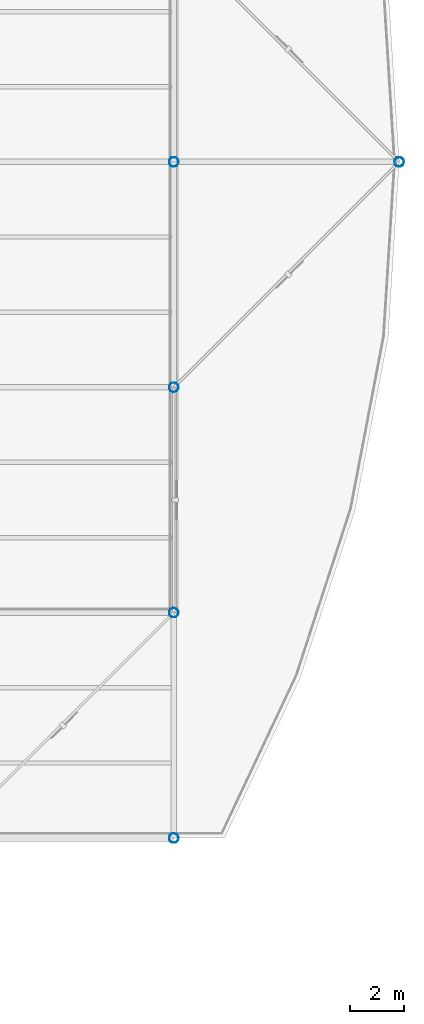
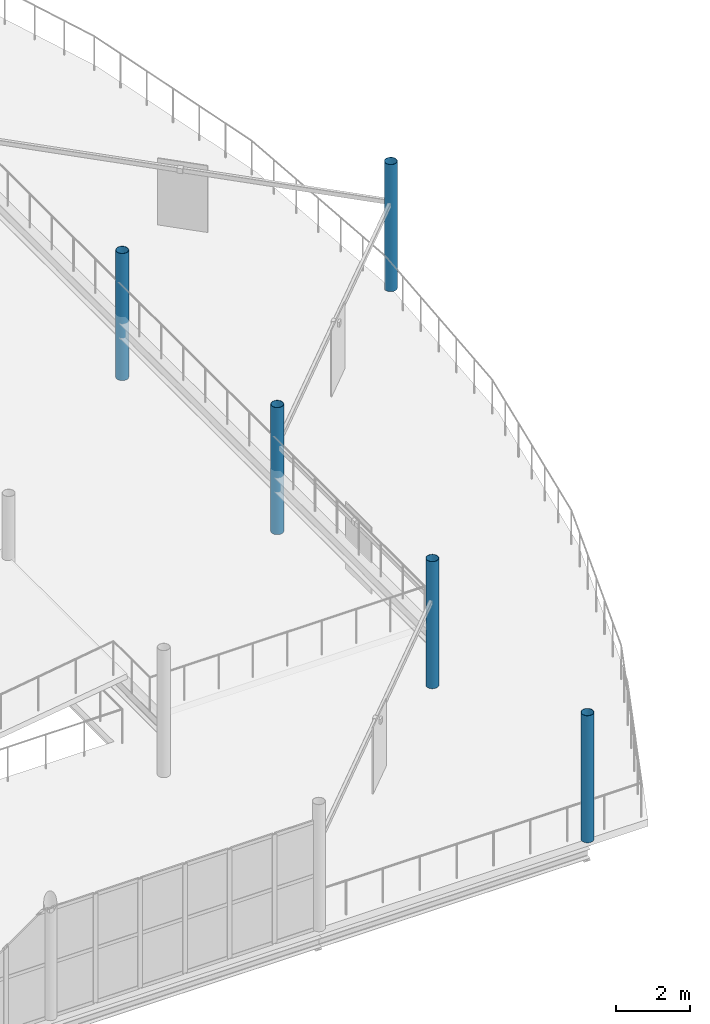
# One storey, part 19 of 184: 5 columns.
"""IFC4 building model written with IfcOpenShell, lengths in metres."""

from ifc_helpers import new_model, si_unit, direction, frame, origin, origin_2d, place, context, subcontext, project, spatial, hollow_circle, extrude, material, material_profile, profile_set, type_object, element, save


model = new_model("IFC4")

# Units and contexts
model_context = context("Model", 3, precision=1e-05, world=origin(), true_north=direction((0.0, 1.0)))
body_context = subcontext(model_context, "Body", "Model", "MODEL_VIEW")
ifc_project = project(units=[si_unit("LENGTHUNIT", "METRE"), si_unit("AREAUNIT", "SQUARE_METRE"), si_unit("VOLUMEUNIT", "CUBIC_METRE"), si_unit("PLANEANGLEUNIT", "RADIAN"), si_unit("MASSUNIT", "GRAM", prefix="KILO")], contexts=[model_context])

# Site, building, storey
site_placement = place(None, origin())
site = spatial("IfcSite", under=ifc_project, at=site_placement, CompositionType="ELEMENT")
building_placement = place(site_placement, origin())
building = spatial("IfcBuilding", under=site, at=building_placement, Name="Qalvenar Corner Mobility Hub", CompositionType="ELEMENT")
storey_placement = place(building_placement, frame((0.0, 0.0, 9.0)))
storey = spatial("IfcBuildingStorey", under=building, at=storey_placement, Name="L02", CompositionType="ELEMENT", Elevation=9.0)

# Columns
ifc_material = material(Name="Steel S355", Category="steel")
ifc_material_profile = material_profile(ifc_material, hollow_circle(Radius=0.177734375, WallThickness=0.010009765625, at=origin_2d()), Name="CHS355.6x10")
ifc_profile_set = profile_set([ifc_material_profile], Name="Steel S355")
column_type = type_object("IfcColumnType", Name="COL-CHS355", PredefinedType="COLUMN", material=ifc_profile_set)
for number, where, z_axis, x_axis, name in (
    (1, (168.0, 67.199951171875, 0.0), (0.0, 0.0, 1.0), (1.0, 0.0, 0.0), "Steel Column L02-G21-8"),
    (2, (168.0, 75.60009765625, 0.0), (0.0, 0.0, 1.0), (1.0, 0.0, 0.0), "Steel Column L02-G21-9"),
    (3, (168.0, 84.0, 0.0), (0.0, 0.0, 1.0), (1.0, 0.0, 0.0), "Steel Column L02-G21-10"),
    (4, (168.0, 92.39990234375, 0.0), (0.0, 0.0, 1.0), (1.0, 0.0, 0.0), "Steel Column L02-G21-11"),
    (5, (176.39990234375, 92.39990234375, 0.0), (0.0, 0.0, 1.0), (1.0, 0.0, 0.0), "Steel Column L02-G22-11"),
):
    element("IfcColumn", number, at=place(storey_placement, frame(where, z_axis=z_axis, x_axis=x_axis)), inside=storey, type_object=column_type, Name=name, PredefinedType="COLUMN", context=body_context, shape_type="SweptSolid", body=[
        extrude(hollow_circle(Radius=0.177734375, WallThickness=0.010009765625, at=origin_2d()), origin(), (0.0, 0.0, 1.0), 4.199951171875),
    ])

save(model, "model.ifc")
